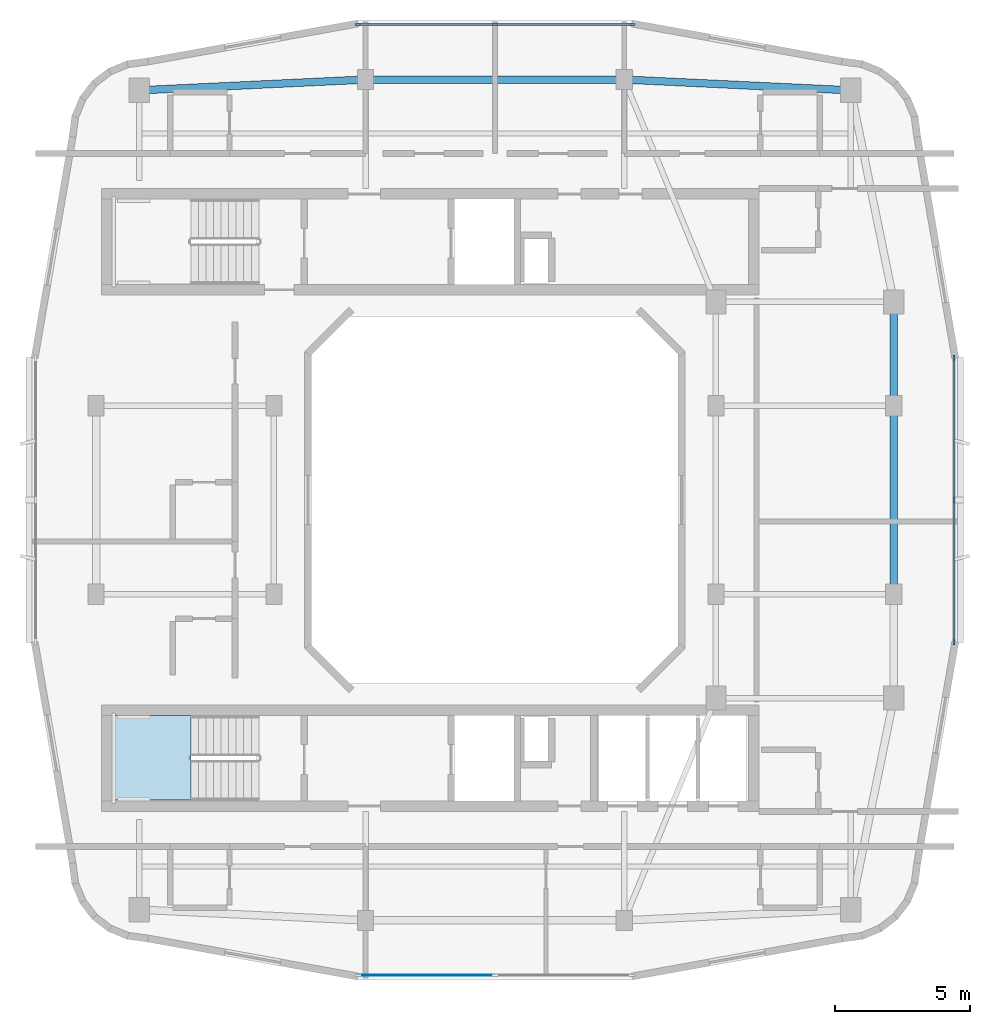
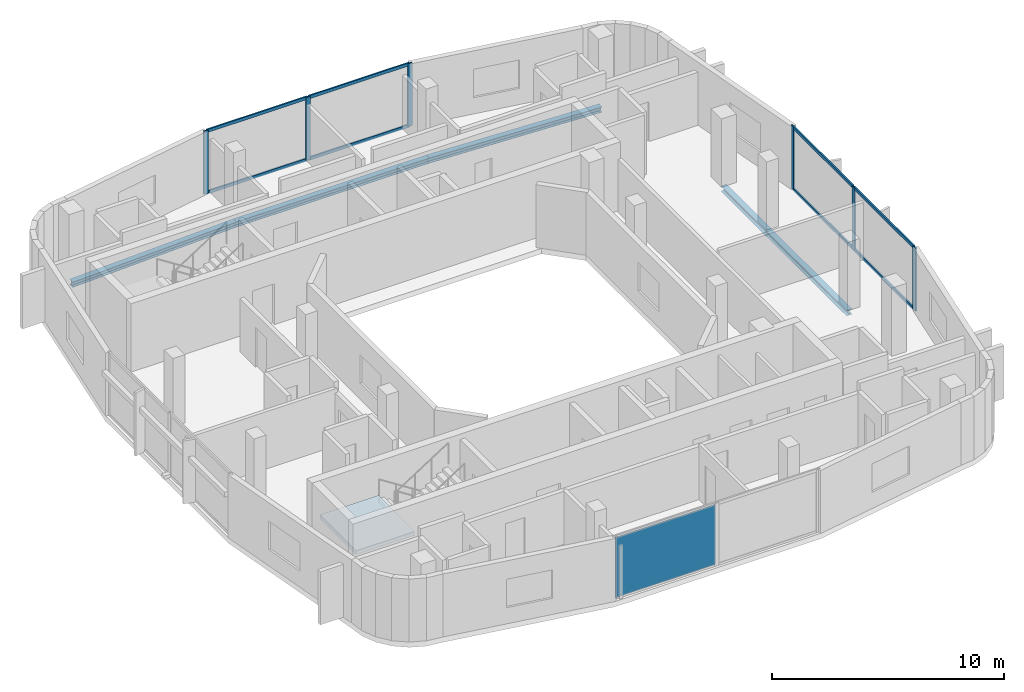
# One storey, part 2 of 8: 14 members, 5 beams, 1 plate, 1 slab, 4 elements without a shape of their own.
"""IFC4 building model written with IfcOpenShell, lengths in metres."""

from ifc_helpers import new_model, si_unit, derived_unit, direction, frame, origin, origin_2d, place, context, subcontext, project, spatial, polyline, rectangle, i_section, outline, extrude, material, layer, layer_set, material_profile, profile_set, type_object, element, aggregate, save


model = new_model("IFC4")

# Units and contexts
model_context = context("Model", 3, precision=1e-05, world=origin(), true_north=direction((0.0, 1.0)))
body_context = subcontext(model_context, "Body", "Model", "MODEL_VIEW")
ifc_project = project(units=[si_unit("LENGTHUNIT", "METRE"), si_unit("AREAUNIT", "SQUARE_METRE"), si_unit("VOLUMEUNIT", "CUBIC_METRE"), si_unit("PLANEANGLEUNIT", "RADIAN"), si_unit("MASSUNIT", "GRAM", prefix="KILO"), derived_unit("THERMALTRANSMITTANCEUNIT", [(si_unit("POWERUNIT", "WATT"), 1), (si_unit("LENGTHUNIT", "METRE"), -2), (si_unit("THERMODYNAMICTEMPERATUREUNIT", "KELVIN"), -1)])], contexts=[model_context])

# Site, building, storey
site_placement = place(None, origin())
site = spatial("IfcSite", under=ifc_project, at=site_placement, CompositionType="ELEMENT")
building_placement = place(site_placement, origin())
building = spatial("IfcBuilding", under=site, at=building_placement, Name="Kivonza Crest Hotel", CompositionType="ELEMENT")
storey_placement = place(building_placement, frame((0.0, 0.0, 261.199951171875)))
storey = spatial("IfcBuildingStorey", under=building, at=storey_placement, Name="L71", CompositionType="ELEMENT", Elevation=261.199951171875)

# Beams
ifc_material_1 = material(Name="Steel S355", Category="steel")
ifc_material_profile_1 = material_profile(ifc_material_1, i_section(OverallWidth=0.280029296875, OverallDepth=0.280029296875, WebThickness=0.010498046875, FlangeThickness=0.01806640625, FilletRadius=0.02392578125, at=origin_2d()), Name="HEB 280")
ifc_profile_set_1 = profile_set([ifc_material_profile_1], Name="Steel S355")
beam_type = type_object("IfcBeamType", Name="BM-HEB280", PredefinedType="SPANDREL", material=ifc_profile_set_1)
beam_1_placement = place(storey_placement, frame((35.800048828125, 21.5, -0.419921875), z_axis=(0.0, 1.0, 0.0), x_axis=(-1.0, 0.0, 0.0)))
element("IfcBeam", 1, at=beam_1_placement, inside=storey, type_object=beam_type, Name="Tower T1 L71 perimeter spandrel E1-E2", PredefinedType="SPANDREL", context=body_context, shape_type="SweptSolid", body=[
    extrude(i_section(OverallWidth=0.280029296875, OverallDepth=0.280029296875, WebThickness=0.010498046875, FlangeThickness=0.01806640625, FilletRadius=0.02392578125, at=origin_2d()), origin(), (0.0, 0.0, 1.0), 7.0),
])
beam_2_placement = place(storey_placement, frame((35.800048828125, 28.5, -0.419921875), z_axis=(0.0, 1.0, 0.0), x_axis=(-1.0, 0.0, 0.0)))
element("IfcBeam", 2, at=beam_2_placement, inside=storey, type_object=beam_type, Name="Tower T1 L71 perimeter spandrel E2-PNE", PredefinedType="SPANDREL", context=body_context, shape_type="SweptSolid", body=[
    extrude(i_section(OverallWidth=0.280029296875, OverallDepth=0.280029296875, WebThickness=0.010498046875, FlangeThickness=0.01806640625, FilletRadius=0.02392578125, at=origin_2d()), origin(), (0.0, 0.0, 1.0), 3.85009765625),
])
beam_3_placement = place(storey_placement, frame((34.199951171875, 40.199951171875, -0.419921875), z_axis=(-0.998867283688, 0.047583080799, 0.0), x_axis=(-0.047583080799, -0.998867283688, 0.0)))
element("IfcBeam", 3, at=beam_3_placement, inside=storey, type_object=beam_type, Name="Tower T1 L71 perimeter spandrel NE-N2", PredefinedType="SPANDREL", context=body_context, shape_type="SweptSolid", body=[
    extrude(i_section(OverallWidth=0.280029296875, OverallDepth=0.280029296875, WebThickness=0.010498046875, FlangeThickness=0.01806640625, FilletRadius=0.02392578125, at=origin_2d()), origin(), (0.0, 0.0, 1.0), 8.409423828125),
])
beam_4_placement = place(storey_placement, frame((25.800048828125, 40.60009765625, -0.419921875), z_axis=(-1.0, 0.0, 0.0), x_axis=(0.0, -1.0, 0.0)))
element("IfcBeam", 4, at=beam_4_placement, inside=storey, type_object=beam_type, Name="Tower T1 L71 perimeter spandrel N2-N1", PredefinedType="SPANDREL", context=body_context, shape_type="SweptSolid", body=[
    extrude(i_section(OverallWidth=0.280029296875, OverallDepth=0.280029296875, WebThickness=0.010498046875, FlangeThickness=0.01806640625, FilletRadius=0.02392578125, at=origin_2d()), origin(), (0.0, 0.0, 1.0), 9.60009765625),
])
beam_5_placement = place(storey_placement, frame((16.199951171875, 40.60009765625, -0.419921875), z_axis=(-0.998867283688, -0.047583080799, 0.0), x_axis=(0.047583080799, -0.998867283688, 0.0)))
element("IfcBeam", 5, at=beam_5_placement, inside=storey, type_object=beam_type, Name="Tower T1 L71 perimeter spandrel N1-NW", PredefinedType="SPANDREL", context=body_context, shape_type="SweptSolid", body=[
    extrude(i_section(OverallWidth=0.280029296875, OverallDepth=0.280029296875, WebThickness=0.010498046875, FlangeThickness=0.01806640625, FilletRadius=0.02392578125, at=origin_2d()), origin(), (0.0, 0.0, 1.0), 8.409423828125),
])

# Curtain wall, members
ifc_material_2 = material(Name="Anodised bronze aluminium and low-E double glazing", Category="aluminium")
ifc_layer_1 = layer(ifc_material_2, 0.179931640625)
ifc_layer_set_1 = layer_set([ifc_layer_1], Name="Anodised bronze aluminium and low-E double glazing")
curtain_wall_type = type_object("IfcCurtainWallType", Name="CW-SYS-3", PredefinedType="NOTDEFINED", material=ifc_layer_set_1)
curtain_wall_1_placement = place(storey_placement, origin())
curtain_wall_1 = element("IfcCurtainWall", 6, at=curtain_wall_1_placement, inside=storey, type_object=curtain_wall_type, Name="L71 unitised curtain wall CW-T1-L71-17", PredefinedType="NOTDEFINED")
ifc_material_3 = material(Name="Anodised bronze aluminium", Category="aluminium")
ifc_material_profile_2 = material_profile(ifc_material_3, rectangle(XDim=0.074951171875, YDim=0.219970703125, at=origin_2d()), Name="CW-M 75x220")
ifc_profile_set_2 = profile_set([ifc_material_profile_2], Name="Anodised bronze aluminium")
member_type_1 = type_object("IfcMemberType", Name="CW-MUL-75x220", PredefinedType="MULLION", material=ifc_profile_set_2)
member_1_placement = place(storey_placement, frame((38.0400390625, 19.737548828125, 0.0), z_axis=(0.0, 0.0, 1.0), x_axis=(-1.0, 0.0, 0.0)))
member_1 = element("IfcMember", 7, at=member_1_placement, type_object=member_type_1, Name="CW-3 mullion 1", PredefinedType="MULLION", context=body_context, shape_type="SweptSolid", body=[
    extrude(rectangle(XDim=0.074951171875, YDim=0.219970703125, at=origin_2d()), origin(), (0.0, 0.0, 1.0), 3.320068359375),
])
member_2_placement = place(storey_placement, frame((38.0400390625, 25.0, 0.0), z_axis=(0.0, 0.0, 1.0), x_axis=(-1.0, 0.0, 0.0)))
member_2 = element("IfcMember", 8, at=member_2_placement, type_object=member_type_1, Name="CW-3 mullion 2", PredefinedType="MULLION", context=body_context, shape_type="SweptSolid", body=[
    extrude(rectangle(XDim=0.074951171875, YDim=0.219970703125, at=origin_2d()), origin(), (0.0, 0.0, 1.0), 3.320068359375),
])
member_3_placement = place(storey_placement, frame((38.0400390625, 30.262451171875, 0.0), z_axis=(0.0, 0.0, 1.0), x_axis=(-1.0, 0.0, 0.0)))
member_3 = element("IfcMember", 9, at=member_3_placement, type_object=member_type_1, Name="CW-3 mullion 3", PredefinedType="MULLION", context=body_context, shape_type="SweptSolid", body=[
    extrude(rectangle(XDim=0.074951171875, YDim=0.219970703125, at=origin_2d()), origin(), (0.0, 0.0, 1.0), 3.320068359375),
])

curtain_wall_2_placement = place(storey_placement, origin())
curtain_wall_2 = element("IfcCurtainWall", 10, at=curtain_wall_2_placement, inside=storey, type_object=curtain_wall_type, Name="L71 unitised curtain wall CW-T1-L71-26", PredefinedType="NOTDEFINED")
member_4_placement = place(storey_placement, frame((26.08251953125, 42.639892578125, 0.0), z_axis=(0.0, 0.0, 1.0), x_axis=(0.0, -1.0, 0.0)))
member_4 = element("IfcMember", 11, at=member_4_placement, type_object=member_type_1, Name="CW-3 mullion 1", PredefinedType="MULLION", context=body_context, shape_type="SweptSolid", body=[
    extrude(rectangle(XDim=0.074951171875, YDim=0.219970703125, at=origin_2d()), origin(), (0.0, 0.0, 1.0), 3.320068359375),
])
member_5_placement = place(storey_placement, frame((21.0, 42.639892578125, 0.0), z_axis=(0.0, 0.0, 1.0), x_axis=(0.0, -1.0, 0.0)))
member_5 = element("IfcMember", 12, at=member_5_placement, type_object=member_type_1, Name="CW-3 mullion 2", PredefinedType="MULLION", context=body_context, shape_type="SweptSolid", body=[
    extrude(rectangle(XDim=0.074951171875, YDim=0.219970703125, at=origin_2d()), origin(), (0.0, 0.0, 1.0), 3.320068359375),
])
member_6_placement = place(storey_placement, frame((15.91748046875, 42.639892578125, 0.0), z_axis=(0.0, 0.0, 1.0), x_axis=(0.0, -1.0, 0.0)))
member_6 = element("IfcMember", 13, at=member_6_placement, type_object=member_type_1, Name="CW-3 mullion 3", PredefinedType="MULLION", context=body_context, shape_type="SweptSolid", body=[
    extrude(rectangle(XDim=0.074951171875, YDim=0.219970703125, at=origin_2d()), origin(), (0.0, 0.0, 1.0), 3.320068359375),
])

# Member
ifc_material_profile_3 = material_profile(ifc_material_3, rectangle(XDim=0.074951171875, YDim=0.159912109375, at=origin_2d()), Name="CW-T 75x160")
ifc_profile_set_3 = profile_set([ifc_material_profile_3], Name="Anodised bronze aluminium")
member_type_2 = type_object("IfcMemberType", Name="CW-TRN-75x160", PredefinedType="USERDEFINED", material=ifc_profile_set_3)
member_7_placement = place(storey_placement, frame((38.0400390625, 19.77490234375, 0.03759765625), z_axis=(0.0, 1.0, 0.0), x_axis=(-1.0, 0.0, 0.0)))
member_7 = element("IfcMember", 14, at=member_7_placement, type_object=member_type_2, Name="CW-3 transom 1.1", ObjectType="TRANSOM", PredefinedType="USERDEFINED", context=body_context, shape_type="SweptSolid", body=[
    extrude(rectangle(XDim=0.074951171875, YDim=0.159912109375, at=origin_2d()), origin(), (0.0, 0.0, 1.0), 5.1875),
])

member_8_placement = place(storey_placement, frame((38.0400390625, 19.77490234375, 3.282470703125), z_axis=(0.0, 1.0, 0.0), x_axis=(-1.0, 0.0, 0.0)))
member_8 = element("IfcMember", 15, at=member_8_placement, type_object=member_type_2, Name="CW-3 transom 1.2", ObjectType="TRANSOM", PredefinedType="USERDEFINED", context=body_context, shape_type="SweptSolid", body=[
    extrude(rectangle(XDim=0.074951171875, YDim=0.159912109375, at=origin_2d()), origin(), (0.0, 0.0, 1.0), 5.1875),
])

member_9_placement = place(storey_placement, frame((38.0400390625, 25.03759765625, 0.03759765625), z_axis=(0.0, 1.0, 0.0), x_axis=(-1.0, 0.0, 0.0)))
member_9 = element("IfcMember", 16, at=member_9_placement, type_object=member_type_2, Name="CW-3 transom 2.1", ObjectType="TRANSOM", PredefinedType="USERDEFINED", context=body_context, shape_type="SweptSolid", body=[
    extrude(rectangle(XDim=0.074951171875, YDim=0.159912109375, at=origin_2d()), origin(), (0.0, 0.0, 1.0), 5.1875),
])

member_10_placement = place(storey_placement, frame((38.0400390625, 25.03759765625, 3.282470703125), z_axis=(0.0, 1.0, 0.0), x_axis=(-1.0, 0.0, 0.0)))
member_10 = element("IfcMember", 17, at=member_10_placement, type_object=member_type_2, Name="CW-3 transom 2.2", ObjectType="TRANSOM", PredefinedType="USERDEFINED", context=body_context, shape_type="SweptSolid", body=[
    extrude(rectangle(XDim=0.074951171875, YDim=0.159912109375, at=origin_2d()), origin(), (0.0, 0.0, 1.0), 5.1875),
])

aggregate(curtain_wall_1, [member_1, member_2, member_3, member_7, member_8, member_9, member_10])

member_11_placement = place(storey_placement, frame((26.044921875, 42.639892578125, 0.03759765625), z_axis=(-1.0, 0.0, 0.0), x_axis=(0.0, -1.0, 0.0)))
member_11 = element("IfcMember", 18, at=member_11_placement, type_object=member_type_2, Name="CW-3 transom 1.1", ObjectType="TRANSOM", PredefinedType="USERDEFINED", context=body_context, shape_type="SweptSolid", body=[
    extrude(rectangle(XDim=0.074951171875, YDim=0.159912109375, at=origin_2d()), origin(), (0.0, 0.0, 1.0), 5.00732421875),
])

member_12_placement = place(storey_placement, frame((26.044921875, 42.639892578125, 3.282470703125), z_axis=(-1.0, 0.0, 0.0), x_axis=(0.0, -1.0, 0.0)))
member_12 = element("IfcMember", 19, at=member_12_placement, type_object=member_type_2, Name="CW-3 transom 1.2", ObjectType="TRANSOM", PredefinedType="USERDEFINED", context=body_context, shape_type="SweptSolid", body=[
    extrude(rectangle(XDim=0.074951171875, YDim=0.159912109375, at=origin_2d()), origin(), (0.0, 0.0, 1.0), 5.00732421875),
])

member_13_placement = place(storey_placement, frame((20.96240234375, 42.639892578125, 0.03759765625), z_axis=(-1.0, 0.0, 0.0), x_axis=(0.0, -1.0, 0.0)))
member_13 = element("IfcMember", 20, at=member_13_placement, type_object=member_type_2, Name="CW-3 transom 2.1", ObjectType="TRANSOM", PredefinedType="USERDEFINED", context=body_context, shape_type="SweptSolid", body=[
    extrude(rectangle(XDim=0.074951171875, YDim=0.159912109375, at=origin_2d()), origin(), (0.0, 0.0, 1.0), 5.00732421875),
])

member_14_placement = place(storey_placement, frame((20.96240234375, 42.639892578125, 3.282470703125), z_axis=(-1.0, 0.0, 0.0), x_axis=(0.0, -1.0, 0.0)))
member_14 = element("IfcMember", 21, at=member_14_placement, type_object=member_type_2, Name="CW-3 transom 2.2", ObjectType="TRANSOM", PredefinedType="USERDEFINED", context=body_context, shape_type="SweptSolid", body=[
    extrude(rectangle(XDim=0.074951171875, YDim=0.159912109375, at=origin_2d()), origin(), (0.0, 0.0, 1.0), 5.00732421875),
])

aggregate(curtain_wall_2, [member_4, member_5, member_6, member_11, member_12, member_13, member_14])

# Curtain wall, plate
curtain_wall_3_placement = place(storey_placement, origin())
curtain_wall_3 = element("IfcCurtainWall", 22, at=curtain_wall_3_placement, inside=storey, type_object=curtain_wall_type, Name="L71 unitised curtain wall CW-T1-L71-08", PredefinedType="NOTDEFINED")
ifc_material_4 = material(Name="Acoustic triple-laminated low-E glazing", Category="glass")
ifc_layer_2 = layer(ifc_material_4, 0.035888671875)
ifc_layer_set_2 = layer_set([ifc_layer_2], Name="Acoustic triple-laminated low-E glazing")
plate_type = type_object("IfcPlateType", Name="CW-PNL-36", PredefinedType="CURTAIN_PANEL", material=ifc_layer_set_2)
plate_placement = place(storey_placement, frame((18.458740234375, 7.360107421875, 0.0751953125), z_axis=(0.0, 0.0, 1.0), x_axis=(1.0, 0.0, 0.0)))
plate = element("IfcPlate", 23, at=plate_placement, type_object=plate_type, Name="CW-3 panel 1.1", PredefinedType="CURTAIN_PANEL", context=body_context, shape_type="SweptSolid", body=[
    extrude(rectangle(XDim=5.007568359375, YDim=0.035888671875, at=origin_2d()), origin(), (0.0, 0.0, 1.0), 3.169921875),
])
aggregate(curtain_wall_3, [plate])

# Stair, slab
ifc_material_5 = material(Name="Concrete C40/50", Category="concrete")
stair_type = type_object("IfcStairType", Name="ST-DL-20R", PredefinedType="HALF_TURN_STAIR", material=ifc_material_5)
stair_placement = place(storey_placement, origin())
stair = element("IfcStair", 24, at=stair_placement, inside=storey, type_object=stair_type, Name="L71 Protected Exit Stair ST-T1-S", PredefinedType="HALF_TURN_STAIR")
ifc_layer_3 = layer(ifc_material_5, 0.199951171875)
ifc_layer_set_3 = layer_set([ifc_layer_3], Name="Concrete C40/50")
slab_type = type_object("IfcSlabType", Name="SL-LAND-200", PredefinedType="LANDING", material=ifc_layer_set_3)
slab_placement = place(storey_placement, frame((0.0, 0.0, 1.60009765625)))
slab = element("IfcSlab", 25, at=slab_placement, type_object=slab_type, Name="ST-T1-S landing 1", PredefinedType="LANDING", context=body_context, shape_type="SweptSolid", body=[
    extrude(outline(polyline([(9.719970703125, 17.0), (6.800048828125, 17.0), (6.800048828125, 13.860107421875), (9.719970703125, 13.860107421875), (9.719970703125, 17.0)])), origin(), (0.0, 0.0, 1.0), 0.199951171875),
])
aggregate(stair, [slab])

save(model, "model.ifc")
